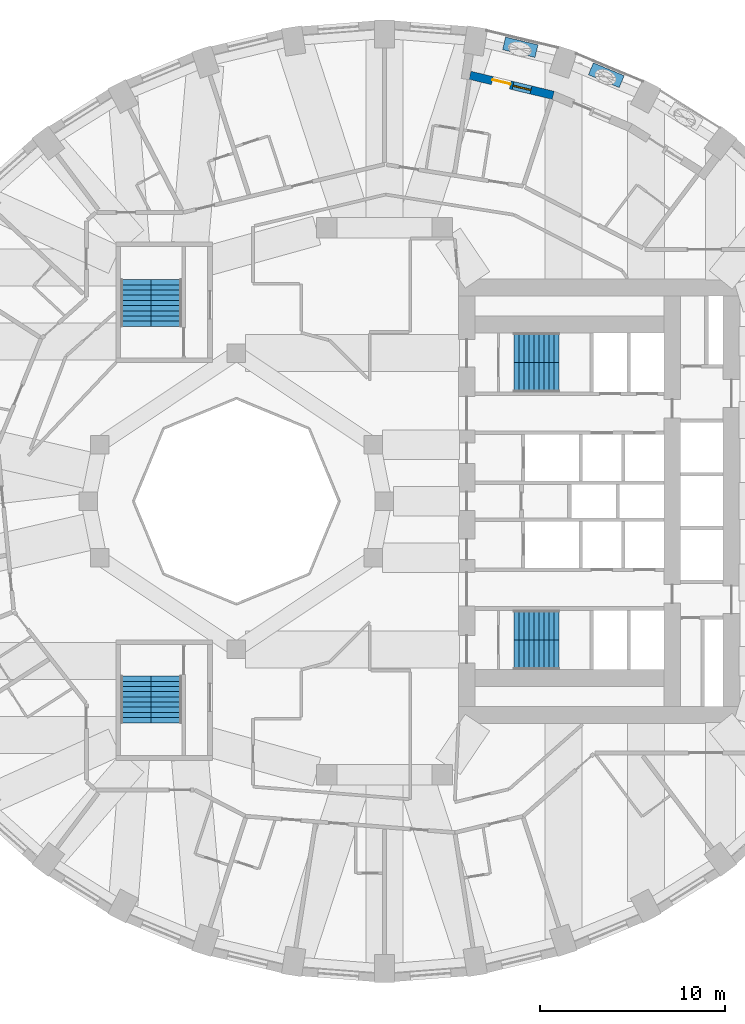
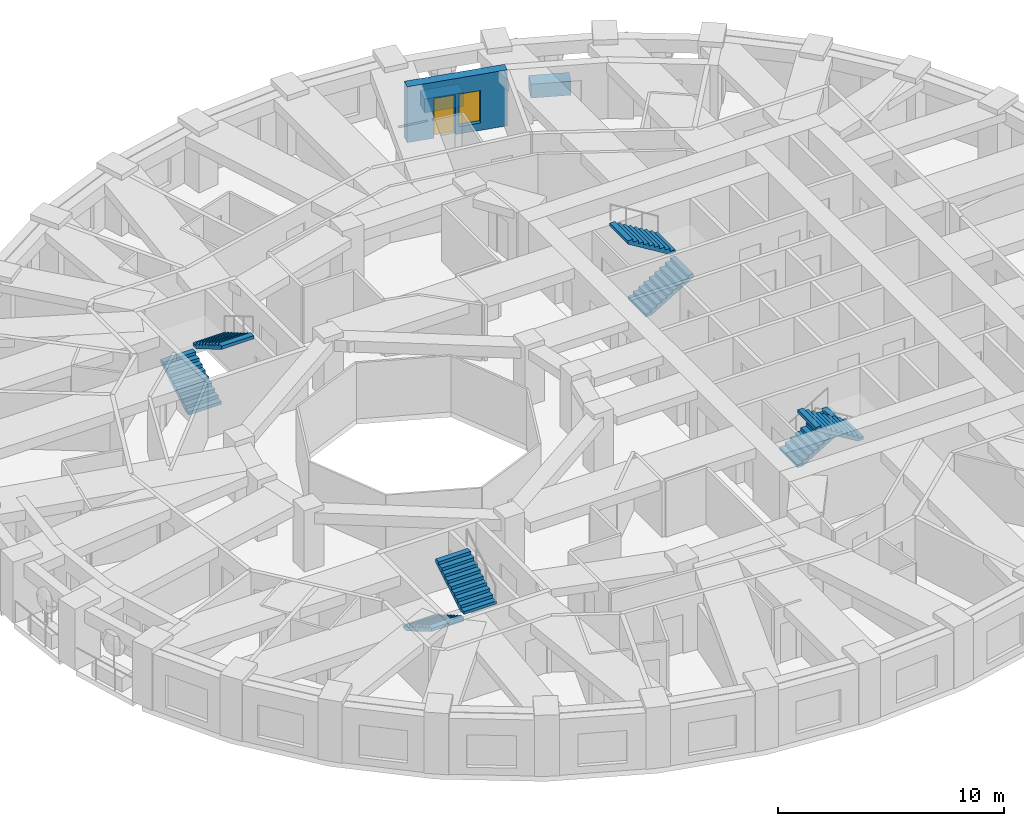
# One storey, part 10 of 13: 8 stair flights, 3 walls, 1 door, 1 window, 2 openings, 4 elements without a shape of their own.
"""IFC4 building model written with IfcOpenShell, lengths in metres."""

from ifc_helpers import new_model, si_unit, direction, frame, frame_2d, origin, place, context, subcontext, project, spatial, polyline, rectangle, outline, extrude, material, layer, layer_set, constituent, constituent_set, type_object, element, fill, aggregate, save


model = new_model("IFC4")

# Units and contexts
model_context = context("Model", 3, precision=1e-05, world=origin(), true_north=direction((0.0, 1.0)))
body_context = subcontext(model_context, "Body", "Model", "MODEL_VIEW")
ifc_project = project(units=[si_unit("LENGTHUNIT", "METRE"), si_unit("AREAUNIT", "SQUARE_METRE"), si_unit("VOLUMEUNIT", "CUBIC_METRE"), si_unit("PLANEANGLEUNIT", "RADIAN"), si_unit("MASSUNIT", "GRAM", prefix="KILO")], contexts=[model_context])

# Site, building, storey
site_placement = place(None, origin())
site = spatial("IfcSite", under=ifc_project, at=site_placement, CompositionType="ELEMENT")
building_placement = place(site_placement, origin())
building = spatial("IfcBuilding", under=site, at=building_placement, Name="Taillehof Tower", CompositionType="ELEMENT")
storey_placement = place(building_placement, frame((0.0, 0.0, 64.60009765625)))
storey = spatial("IfcBuildingStorey", under=building, at=storey_placement, Name="L17", CompositionType="ELEMENT", Elevation=64.60009765625)

# Wall, openings, door, window
ifc_material_1 = material(Name="Brick masonry", Category="masonry")
ifc_layer = layer(ifc_material_1, 0.449951171875)
ifc_layer_set = layer_set([ifc_layer], Name="Brick infill wall 450")
wall_type_1 = type_object("IfcWallType", Name="Brick infill wall 450", PredefinedType="SOLIDWALL", material=ifc_layer_set)
wall_placement = place(storey_placement, frame((9.12158203125, 21.931640625, 0.0), z_axis=(0.0, 0.0, 1.0), x_axis=(-0.972346547441, 0.233542697764, 0.0)))
wall = element("IfcWall", 1, at=wall_placement, inside=storey, type_object=wall_type_1, Name="Brick wall L17 pocket bay 8", PredefinedType="SOLIDWALL", context=body_context, shape_type="SweptSolid", body=[
    extrude(rectangle(XDim=4.623779296875, YDim=0.449951171875, at=frame_2d((2.31201171875, 0.0))), origin(), (0.0, 0.0, 1.0), 3.02001953125),
])
opening_1_placement = place(wall_placement, frame((1.23681640625, 0.0, 0.39990234375)))
opening_1 = element("IfcOpeningElement", 2, at=opening_1_placement, cuts=wall, Name="Opening W5", PredefinedType="OPENING", context=body_context, shape_type="SweptSolid", body=[
    extrude(rectangle(XDim=1.0, YDim=1.75, at=frame_2d((0.5, 0.875))), frame((0.0, 0.23486328125, 0.0), z_axis=(0.0, -1.0, 0.0), x_axis=(1.0, 0.0, 0.0)), (0.0, 0.0, 1.0), 0.469970703125),
])
opening_2_placement = place(wall_placement, frame((2.38671875, 0.0, 0.0)))
opening_2 = element("IfcOpeningElement", 3, at=opening_2_placement, cuts=wall, Name="Opening D1796", PredefinedType="OPENING", context=body_context, shape_type="SweptSolid", body=[
    extrude(rectangle(XDim=1.0, YDim=2.14990234375, at=frame_2d((0.5, 1.074951171875))), frame((0.0, 0.23486328125, 0.0), z_axis=(0.0, -1.0, 0.0), x_axis=(1.0, 0.0, 0.0)), (0.0, 0.0, 1.0), 0.469970703125),
])
ifc_material_2 = material(Name="Aluminium door frame with clear double glazing", Category="aluminium")
door_type = type_object("IfcDoorType", Name="Balcony door 1000x2150", OperationType="SINGLE_SWING_RIGHT", PredefinedType="DOOR", material=ifc_material_2)
door_placement = place(opening_2_placement, frame((1.0, 0.0, 0.0), z_axis=(0.0, 0.0, 1.0), x_axis=(-1.0, 0.0, 0.0)))
door = element("IfcDoor", 4, at=door_placement, inside=storey, type_object=door_type, Name="Balcony door L17 bay 8", OperationType="SINGLE_SWING_LEFT", OverallHeight=2.14990234375, OverallWidth=1.0, PredefinedType="DOOR", context=body_context, shape_type="SweptSolid", body=[
    extrude(rectangle(XDim=1.0, YDim=2.14990234375, at=frame_2d((0.5, 1.074951171875))), frame((0.0, 0.0751953125, 0.0), z_axis=(0.0, -1.0, 0.0), x_axis=(1.0, 0.0, 0.0)), (0.0, 0.0, 1.0), 0.050048828125),
])
fill(opening_2, door)
ifc_material_3 = material(Name="Aluminium window frame with clear double glazing", Category="aluminium")
window_type = type_object("IfcWindowType", Name="Fixed window 1000x1750", PartitioningType="SINGLE_PANEL", PredefinedType="WINDOW", material=ifc_material_3)
window_placement = place(opening_1_placement, origin())
window = element("IfcWindow", 5, at=window_placement, inside=storey, type_object=window_type, Name="W5", OverallHeight=1.75, OverallWidth=1.0, PartitioningType="SINGLE_PANEL", PredefinedType="WINDOW", context=body_context, shape_type="SweptSolid", body=[
    extrude(rectangle(XDim=1.0, YDim=1.75, at=frame_2d((0.5, 0.875))), frame((0.0, 0.034912109375, 0.0), z_axis=(0.0, -1.0, 0.0), x_axis=(1.0, 0.0, 0.0)), (0.0, 0.0, 1.0), 0.06005859375),
])
fill(opening_1, window)

# Walls
ifc_material_4 = material(Name="Concrete C30/37 precast", Category="concrete")
ifc_constituent_1 = constituent(ifc_material_4, Name="Structure", Category="concrete")
ifc_material_5 = material(Name="Insulated lining")
ifc_constituent_2 = constituent(ifc_material_5, Name="Lining")
ifc_constituent_set = constituent_set(constituents=[ifc_constituent_1, ifc_constituent_2], Name="Planter trough 700x750")
wall_type_2 = type_object("IfcWallType", Name="Planter trough 700x750", PredefinedType="USERDEFINED", material=ifc_constituent_set)
for number, where, z_axis, x_axis, name in (
    (6, (12.816650390625, 22.669677734375, 0.0), (0.0, 0.0, 1.0), (-0.923000660042, 0.384798364811, 0.0), "Planter L17 bay 7"),
    (7, (8.215087890625, 24.318115234375, 0.0), (0.0, 0.0, 1.0), (-0.972504142103, 0.232885580473, 0.0), "Planter L17 bay 8"),
):
    element("IfcWall", number, at=place(storey_placement, frame(where, z_axis=z_axis, x_axis=x_axis)), inside=storey, type_object=wall_type_2, Name=name, ObjectType="PLANTER", PredefinedType="USERDEFINED", context=body_context, shape_type="SweptSolid", body=[
        extrude(rectangle(XDim=1.800048828125, YDim=0.699951171875, at=frame_2d((0.89990234375, 0.0))), origin(), (0.0, 0.0, 1.0), 0.75),
    ])

# Stair, stair flights
ifc_material_6 = material(Name="Concrete C40/50", Category="concrete")
stair_type = type_object("IfcStairType", Name="Exit stair half-turn", PredefinedType="HALF_TURN_STAIR", material=ifc_material_6)
stair_1_placement = place(storey_placement, origin())
stair_1 = element("IfcStair", 8, at=stair_1_placement, inside=storey, type_object=stair_type, Name="Exit stair S1", PredefinedType="HALF_TURN_STAIR")
ifc_material_7 = material(Name="Concrete C40/50", Category="concrete")
stair_flight_type_1 = type_object("IfcStairFlightType", Name="Stair flight 1600 riser 165.0 going 270", PredefinedType="STRAIGHT", material=ifc_material_7)
stair_flight_1_placement = place(storey_placement, frame((7.0, 6.699951171875, 0.0), z_axis=(0.0, 0.0, 1.0), x_axis=(1.0, 0.0, 0.0)))
stair_flight_1 = element("IfcStairFlight", 9, at=stair_flight_1_placement, type_object=stair_flight_type_1, Name="S1 flight 1", NumberOfRisers=10, NumberOfTreads=9, PredefinedType="STRAIGHT", RiserHeight=0.165, TreadLength=0.27, context=body_context, shape_type="SweptSolid", body=[
    extrude(outline(polyline([(0.0, 0.0), (0.0, 0.00537109375), (0.0, 0.0107421875), (0.0, 0.015869140625), (0.0, 0.021240234375), (0.0, 0.026611328125), (0.0, 0.031982421875), (0.0, 0.037353515625), (0.0, 0.04248046875), (0.0, 0.0478515625), (0.0, 0.05322265625), (0.0, 0.05859375), (0.0, 0.06396484375), (0.0, 0.069091796875), (0.0, 0.074462890625), (0.0, 0.079833984375), (0.0, 0.085205078125), (0.0, 0.090576171875), (0.0, 0.095703125), (0.0, 0.10107421875), (0.0, 0.1064453125), (0.0, 0.11181640625), (0.0, 0.1171875), (0.0, 0.122314453125), (0.0, 0.127685546875), (0.0, 0.133056640625), (0.0, 0.138427734375), (0.0, 0.143798828125), (0.0, 0.14892578125), (0.0, 0.154296875), (0.0, 0.15966796875), (0.0, 0.1650390625), (0.27001953125, 0.1650390625), (0.27001953125, 0.330078125), (0.5400390625, 0.330078125), (0.5400390625, 0.4951171875), (0.81005859375, 0.4951171875), (0.81005859375, 0.659912109375), (1.080078125, 0.659912109375), (1.080078125, 0.824951171875), (1.35009765625, 0.824951171875), (1.35009765625, 0.989990234375), (1.6201171875, 0.989990234375), (1.6201171875, 1.155029296875), (1.889892578125, 1.155029296875), (1.889892578125, 1.320068359375), (2.159912109375, 1.320068359375), (2.159912109375, 1.485107421875), (2.429931640625, 1.485107421875), (2.429931640625, 1.479248046875), (2.429931640625, 1.4736328125), (2.429931640625, 1.468017578125), (2.429931640625, 1.46240234375), (2.429931640625, 1.45654296875), (2.429931640625, 1.450927734375), (2.429931640625, 1.4453125), (2.429931640625, 1.439697265625), (2.429931640625, 1.43408203125), (2.429931640625, 1.42822265625), (2.429931640625, 1.422607421875), (2.429931640625, 1.4169921875), (2.429931640625, 1.411376953125), (2.429931640625, 1.40576171875), (2.429931640625, 1.39990234375), (2.429931640625, 1.394287109375), (2.429931640625, 1.388671875), (2.429931640625, 1.383056640625), (2.429931640625, 1.37744140625), (2.429931640625, 1.37158203125), (2.429931640625, 1.365966796875), (2.429931640625, 1.3603515625), (2.429931640625, 1.354736328125), (2.429931640625, 1.348876953125), (2.429931640625, 1.34326171875), (2.429931640625, 1.337646484375), (2.429931640625, 1.33203125), (2.429931640625, 1.326416015625), (2.429931640625, 1.320556640625), (2.429931640625, 1.31494140625), (2.429931640625, 1.309326171875), (0.287353515625, 0.0), (0.0, 0.0)])), frame((0.0, 0.800048828125, 0.0), z_axis=(0.0, -1.0, 0.0), x_axis=(1.0, 0.0, 0.0)), (0.0, 0.0, 1.0), 1.6),
])
stair_flight_2_placement = place(storey_placement, frame((9.429931640625, 8.300048828125, 1.64990234375), z_axis=(0.0, 0.0, 1.0), x_axis=(-1.0, 0.0, 0.0)))
stair_flight_2 = element("IfcStairFlight", 10, at=stair_flight_2_placement, type_object=stair_flight_type_1, Name="S1 flight 2", NumberOfRisers=10, NumberOfTreads=9, PredefinedType="STRAIGHT", RiserHeight=0.165, TreadLength=0.27, context=body_context, shape_type="SweptSolid", body=[
    extrude(outline(polyline([(0.0, 0.0), (0.0, 0.00537109375), (0.0, 0.0107421875), (0.0, 0.015869140625), (0.0, 0.021240234375), (0.0, 0.026611328125), (0.0, 0.031982421875), (0.0, 0.037353515625), (0.0, 0.04248046875), (0.0, 0.0478515625), (0.0, 0.05322265625), (0.0, 0.05859375), (0.0, 0.06396484375), (0.0, 0.069091796875), (0.0, 0.074462890625), (0.0, 0.079833984375), (0.0, 0.085205078125), (0.0, 0.090576171875), (0.0, 0.095703125), (0.0, 0.10107421875), (0.0, 0.1064453125), (0.0, 0.11181640625), (0.0, 0.1171875), (0.0, 0.122314453125), (0.0, 0.127685546875), (0.0, 0.133056640625), (0.0, 0.138427734375), (0.0, 0.143798828125), (0.0, 0.14892578125), (0.0, 0.154296875), (0.0, 0.15966796875), (0.0, 0.1650390625), (0.27001953125, 0.1650390625), (0.27001953125, 0.330078125), (0.5400390625, 0.330078125), (0.5400390625, 0.4951171875), (0.81005859375, 0.4951171875), (0.81005859375, 0.659912109375), (1.080078125, 0.659912109375), (1.080078125, 0.824951171875), (1.35009765625, 0.824951171875), (1.35009765625, 0.989990234375), (1.6201171875, 0.989990234375), (1.6201171875, 1.155029296875), (1.889892578125, 1.155029296875), (1.889892578125, 1.320068359375), (2.159912109375, 1.320068359375), (2.159912109375, 1.485107421875), (2.429931640625, 1.485107421875), (2.429931640625, 1.479248046875), (2.429931640625, 1.4736328125), (2.429931640625, 1.468017578125), (2.429931640625, 1.46240234375), (2.429931640625, 1.45654296875), (2.429931640625, 1.450927734375), (2.429931640625, 1.4453125), (2.429931640625, 1.439697265625), (2.429931640625, 1.43408203125), (2.429931640625, 1.42822265625), (2.429931640625, 1.422607421875), (2.429931640625, 1.4169921875), (2.429931640625, 1.411376953125), (2.429931640625, 1.40576171875), (2.429931640625, 1.39990234375), (2.429931640625, 1.394287109375), (2.429931640625, 1.388671875), (2.429931640625, 1.383056640625), (2.429931640625, 1.37744140625), (2.429931640625, 1.37158203125), (2.429931640625, 1.365966796875), (2.429931640625, 1.3603515625), (2.429931640625, 1.354736328125), (2.429931640625, 1.348876953125), (2.429931640625, 1.34326171875), (2.429931640625, 1.337646484375), (2.429931640625, 1.33203125), (2.429931640625, 1.326416015625), (2.429931640625, 1.320556640625), (2.429931640625, 1.31494140625), (2.429931640625, 1.309326171875), (0.287353515625, 0.0), (0.0, 0.0)])), frame((0.0, 0.800048828125, 0.0), z_axis=(0.0, -1.0, 0.0), x_axis=(1.0, 0.0, 0.0)), (0.0, 0.0, 1.0), 1.6),
])
aggregate(stair_1, [stair_flight_1, stair_flight_2])

stair_2_placement = place(storey_placement, origin())
stair_2 = element("IfcStair", 11, at=stair_2_placement, inside=storey, type_object=stair_type, Name="Exit stair S2", PredefinedType="HALF_TURN_STAIR")
stair_flight_3_placement = place(storey_placement, frame((7.0, -6.699951171875, 0.0), z_axis=(0.0, 0.0, 1.0), x_axis=(1.0, 0.0, 0.0)))
stair_flight_3 = element("IfcStairFlight", 12, at=stair_flight_3_placement, type_object=stair_flight_type_1, Name="S2 flight 1", NumberOfRisers=10, NumberOfTreads=9, PredefinedType="STRAIGHT", RiserHeight=0.165, TreadLength=0.27, context=body_context, shape_type="SweptSolid", body=[
    extrude(outline(polyline([(0.0, 0.0), (0.0, 0.00537109375), (0.0, 0.0107421875), (0.0, 0.015869140625), (0.0, 0.021240234375), (0.0, 0.026611328125), (0.0, 0.031982421875), (0.0, 0.037353515625), (0.0, 0.04248046875), (0.0, 0.0478515625), (0.0, 0.05322265625), (0.0, 0.05859375), (0.0, 0.06396484375), (0.0, 0.069091796875), (0.0, 0.074462890625), (0.0, 0.079833984375), (0.0, 0.085205078125), (0.0, 0.090576171875), (0.0, 0.095703125), (0.0, 0.10107421875), (0.0, 0.1064453125), (0.0, 0.11181640625), (0.0, 0.1171875), (0.0, 0.122314453125), (0.0, 0.127685546875), (0.0, 0.133056640625), (0.0, 0.138427734375), (0.0, 0.143798828125), (0.0, 0.14892578125), (0.0, 0.154296875), (0.0, 0.15966796875), (0.0, 0.1650390625), (0.27001953125, 0.1650390625), (0.27001953125, 0.330078125), (0.5400390625, 0.330078125), (0.5400390625, 0.4951171875), (0.81005859375, 0.4951171875), (0.81005859375, 0.659912109375), (1.080078125, 0.659912109375), (1.080078125, 0.824951171875), (1.35009765625, 0.824951171875), (1.35009765625, 0.989990234375), (1.6201171875, 0.989990234375), (1.6201171875, 1.155029296875), (1.889892578125, 1.155029296875), (1.889892578125, 1.320068359375), (2.159912109375, 1.320068359375), (2.159912109375, 1.485107421875), (2.429931640625, 1.485107421875), (2.429931640625, 1.479248046875), (2.429931640625, 1.4736328125), (2.429931640625, 1.468017578125), (2.429931640625, 1.46240234375), (2.429931640625, 1.45654296875), (2.429931640625, 1.450927734375), (2.429931640625, 1.4453125), (2.429931640625, 1.439697265625), (2.429931640625, 1.43408203125), (2.429931640625, 1.42822265625), (2.429931640625, 1.422607421875), (2.429931640625, 1.4169921875), (2.429931640625, 1.411376953125), (2.429931640625, 1.40576171875), (2.429931640625, 1.39990234375), (2.429931640625, 1.394287109375), (2.429931640625, 1.388671875), (2.429931640625, 1.383056640625), (2.429931640625, 1.37744140625), (2.429931640625, 1.37158203125), (2.429931640625, 1.365966796875), (2.429931640625, 1.3603515625), (2.429931640625, 1.354736328125), (2.429931640625, 1.348876953125), (2.429931640625, 1.34326171875), (2.429931640625, 1.337646484375), (2.429931640625, 1.33203125), (2.429931640625, 1.326416015625), (2.429931640625, 1.320556640625), (2.429931640625, 1.31494140625), (2.429931640625, 1.309326171875), (0.287353515625, 0.0), (0.0, 0.0)])), frame((0.0, 0.800048828125, 0.0), z_axis=(0.0, -1.0, 0.0), x_axis=(1.0, 0.0, 0.0)), (0.0, 0.0, 1.0), 1.6),
])
stair_flight_4_placement = place(storey_placement, frame((9.429931640625, -8.300048828125, 1.64990234375), z_axis=(0.0, 0.0, 1.0), x_axis=(-1.0, 0.0, 0.0)))
stair_flight_4 = element("IfcStairFlight", 13, at=stair_flight_4_placement, type_object=stair_flight_type_1, Name="S2 flight 2", NumberOfRisers=10, NumberOfTreads=9, PredefinedType="STRAIGHT", RiserHeight=0.165, TreadLength=0.27, context=body_context, shape_type="SweptSolid", body=[
    extrude(outline(polyline([(0.0, 0.0), (0.0, 0.00537109375), (0.0, 0.0107421875), (0.0, 0.015869140625), (0.0, 0.021240234375), (0.0, 0.026611328125), (0.0, 0.031982421875), (0.0, 0.037353515625), (0.0, 0.04248046875), (0.0, 0.0478515625), (0.0, 0.05322265625), (0.0, 0.05859375), (0.0, 0.06396484375), (0.0, 0.069091796875), (0.0, 0.074462890625), (0.0, 0.079833984375), (0.0, 0.085205078125), (0.0, 0.090576171875), (0.0, 0.095703125), (0.0, 0.10107421875), (0.0, 0.1064453125), (0.0, 0.11181640625), (0.0, 0.1171875), (0.0, 0.122314453125), (0.0, 0.127685546875), (0.0, 0.133056640625), (0.0, 0.138427734375), (0.0, 0.143798828125), (0.0, 0.14892578125), (0.0, 0.154296875), (0.0, 0.15966796875), (0.0, 0.1650390625), (0.27001953125, 0.1650390625), (0.27001953125, 0.330078125), (0.5400390625, 0.330078125), (0.5400390625, 0.4951171875), (0.81005859375, 0.4951171875), (0.81005859375, 0.659912109375), (1.080078125, 0.659912109375), (1.080078125, 0.824951171875), (1.35009765625, 0.824951171875), (1.35009765625, 0.989990234375), (1.6201171875, 0.989990234375), (1.6201171875, 1.155029296875), (1.889892578125, 1.155029296875), (1.889892578125, 1.320068359375), (2.159912109375, 1.320068359375), (2.159912109375, 1.485107421875), (2.429931640625, 1.485107421875), (2.429931640625, 1.479248046875), (2.429931640625, 1.4736328125), (2.429931640625, 1.468017578125), (2.429931640625, 1.46240234375), (2.429931640625, 1.45654296875), (2.429931640625, 1.450927734375), (2.429931640625, 1.4453125), (2.429931640625, 1.439697265625), (2.429931640625, 1.43408203125), (2.429931640625, 1.42822265625), (2.429931640625, 1.422607421875), (2.429931640625, 1.4169921875), (2.429931640625, 1.411376953125), (2.429931640625, 1.40576171875), (2.429931640625, 1.39990234375), (2.429931640625, 1.394287109375), (2.429931640625, 1.388671875), (2.429931640625, 1.383056640625), (2.429931640625, 1.37744140625), (2.429931640625, 1.37158203125), (2.429931640625, 1.365966796875), (2.429931640625, 1.3603515625), (2.429931640625, 1.354736328125), (2.429931640625, 1.348876953125), (2.429931640625, 1.34326171875), (2.429931640625, 1.337646484375), (2.429931640625, 1.33203125), (2.429931640625, 1.326416015625), (2.429931640625, 1.320556640625), (2.429931640625, 1.31494140625), (2.429931640625, 1.309326171875), (0.287353515625, 0.0), (0.0, 0.0)])), frame((0.0, 0.800048828125, 0.0), z_axis=(0.0, -1.0, 0.0), x_axis=(1.0, 0.0, 0.0)), (0.0, 0.0, 1.0), 1.6),
])
aggregate(stair_2, [stair_flight_3, stair_flight_4])

stair_3_placement = place(storey_placement, origin())
stair_3 = element("IfcStair", 14, at=stair_3_placement, inside=storey, type_object=stair_type, Name="Exit stair S3", PredefinedType="HALF_TURN_STAIR")
ifc_material_8 = material(Name="Concrete C40/50", Category="concrete")
stair_flight_type_2 = type_object("IfcStairFlightType", Name="Stair flight 1650 riser 165.0 going 280", PredefinedType="STRAIGHT", material=ifc_material_8)
stair_flight_5_placement = place(storey_placement, frame((-13.425048828125, 9.449951171875, 0.0), z_axis=(0.0, 0.0, 1.0), x_axis=(0.0, 1.0, 0.0)))
stair_flight_5 = element("IfcStairFlight", 15, at=stair_flight_5_placement, type_object=stair_flight_type_2, Name="S3 flight 1", NumberOfRisers=10, NumberOfTreads=9, PredefinedType="STRAIGHT", RiserHeight=0.165, TreadLength=0.28, context=body_context, shape_type="SweptSolid", body=[
    extrude(outline(polyline([(0.0, 0.0), (0.0, 0.00537109375), (0.0, 0.0107421875), (0.0, 0.015869140625), (0.0, 0.021240234375), (0.0, 0.026611328125), (0.0, 0.031982421875), (0.0, 0.037353515625), (0.0, 0.04248046875), (0.0, 0.0478515625), (0.0, 0.05322265625), (0.0, 0.05859375), (0.0, 0.06396484375), (0.0, 0.069091796875), (0.0, 0.074462890625), (0.0, 0.079833984375), (0.0, 0.085205078125), (0.0, 0.090576171875), (0.0, 0.095703125), (0.0, 0.10107421875), (0.0, 0.1064453125), (0.0, 0.11181640625), (0.0, 0.1171875), (0.0, 0.122314453125), (0.0, 0.127685546875), (0.0, 0.133056640625), (0.0, 0.138427734375), (0.0, 0.143798828125), (0.0, 0.14892578125), (0.0, 0.154296875), (0.0, 0.15966796875), (0.0, 0.1650390625), (0.280029296875, 0.1650390625), (0.280029296875, 0.330078125), (0.56005859375, 0.330078125), (0.56005859375, 0.4951171875), (0.840087890625, 0.4951171875), (0.840087890625, 0.659912109375), (1.1201171875, 0.659912109375), (1.1201171875, 0.824951171875), (1.39990234375, 0.824951171875), (1.39990234375, 0.989990234375), (1.679931640625, 0.989990234375), (1.679931640625, 1.155029296875), (1.9599609375, 1.155029296875), (1.9599609375, 1.320068359375), (2.239990234375, 1.320068359375), (2.239990234375, 1.485107421875), (2.52001953125, 1.485107421875), (2.52001953125, 1.4794921875), (2.52001953125, 1.473876953125), (2.52001953125, 1.46826171875), (2.52001953125, 1.462646484375), (2.52001953125, 1.45703125), (2.52001953125, 1.451416015625), (2.52001953125, 1.44580078125), (2.52001953125, 1.440185546875), (2.52001953125, 1.4345703125), (2.52001953125, 1.428955078125), (2.52001953125, 1.42333984375), (2.52001953125, 1.417724609375), (2.52001953125, 1.412109375), (2.52001953125, 1.406494140625), (2.52001953125, 1.40087890625), (2.52001953125, 1.395263671875), (2.52001953125, 1.3896484375), (2.52001953125, 1.384033203125), (2.52001953125, 1.37841796875), (2.52001953125, 1.372802734375), (2.52001953125, 1.3671875), (2.52001953125, 1.361572265625), (2.52001953125, 1.35595703125), (2.52001953125, 1.350341796875), (2.52001953125, 1.3447265625), (2.52001953125, 1.339111328125), (2.52001953125, 1.33349609375), (2.52001953125, 1.327880859375), (2.52001953125, 1.322265625), (2.52001953125, 1.316650390625), (2.52001953125, 1.31103515625), (0.295166015625, 0.0), (0.0, 0.0)])), frame((0.0, 0.824951171875, 0.0), z_axis=(0.0, -1.0, 0.0), x_axis=(1.0, 0.0, 0.0)), (0.0, 0.0, 1.0), 1.65),
])
stair_flight_6_placement = place(storey_placement, frame((-11.77490234375, 11.969970703125, 1.64990234375), z_axis=(0.0, 0.0, 1.0), x_axis=(0.0, -1.0, 0.0)))
stair_flight_6 = element("IfcStairFlight", 16, at=stair_flight_6_placement, type_object=stair_flight_type_2, Name="S3 flight 2", NumberOfRisers=10, NumberOfTreads=9, PredefinedType="STRAIGHT", RiserHeight=0.165, TreadLength=0.28, context=body_context, shape_type="SweptSolid", body=[
    extrude(outline(polyline([(0.0, 0.0), (0.0, 0.00537109375), (0.0, 0.0107421875), (0.0, 0.015869140625), (0.0, 0.021240234375), (0.0, 0.026611328125), (0.0, 0.031982421875), (0.0, 0.037353515625), (0.0, 0.04248046875), (0.0, 0.0478515625), (0.0, 0.05322265625), (0.0, 0.05859375), (0.0, 0.06396484375), (0.0, 0.069091796875), (0.0, 0.074462890625), (0.0, 0.079833984375), (0.0, 0.085205078125), (0.0, 0.090576171875), (0.0, 0.095703125), (0.0, 0.10107421875), (0.0, 0.1064453125), (0.0, 0.11181640625), (0.0, 0.1171875), (0.0, 0.122314453125), (0.0, 0.127685546875), (0.0, 0.133056640625), (0.0, 0.138427734375), (0.0, 0.143798828125), (0.0, 0.14892578125), (0.0, 0.154296875), (0.0, 0.15966796875), (0.0, 0.1650390625), (0.280029296875, 0.1650390625), (0.280029296875, 0.330078125), (0.56005859375, 0.330078125), (0.56005859375, 0.4951171875), (0.840087890625, 0.4951171875), (0.840087890625, 0.659912109375), (1.1201171875, 0.659912109375), (1.1201171875, 0.824951171875), (1.39990234375, 0.824951171875), (1.39990234375, 0.989990234375), (1.679931640625, 0.989990234375), (1.679931640625, 1.155029296875), (1.9599609375, 1.155029296875), (1.9599609375, 1.320068359375), (2.239990234375, 1.320068359375), (2.239990234375, 1.485107421875), (2.52001953125, 1.485107421875), (2.52001953125, 1.4794921875), (2.52001953125, 1.473876953125), (2.52001953125, 1.46826171875), (2.52001953125, 1.462646484375), (2.52001953125, 1.45703125), (2.52001953125, 1.451416015625), (2.52001953125, 1.44580078125), (2.52001953125, 1.440185546875), (2.52001953125, 1.4345703125), (2.52001953125, 1.428955078125), (2.52001953125, 1.42333984375), (2.52001953125, 1.417724609375), (2.52001953125, 1.412109375), (2.52001953125, 1.406494140625), (2.52001953125, 1.40087890625), (2.52001953125, 1.395263671875), (2.52001953125, 1.3896484375), (2.52001953125, 1.384033203125), (2.52001953125, 1.37841796875), (2.52001953125, 1.372802734375), (2.52001953125, 1.3671875), (2.52001953125, 1.361572265625), (2.52001953125, 1.35595703125), (2.52001953125, 1.350341796875), (2.52001953125, 1.3447265625), (2.52001953125, 1.339111328125), (2.52001953125, 1.33349609375), (2.52001953125, 1.327880859375), (2.52001953125, 1.322265625), (2.52001953125, 1.316650390625), (2.52001953125, 1.31103515625), (0.295166015625, 0.0), (0.0, 0.0)])), frame((0.0, 0.824951171875, 0.0), z_axis=(0.0, -1.0, 0.0), x_axis=(1.0, 0.0, 0.0)), (0.0, 0.0, 1.0), 1.65),
])
aggregate(stair_3, [stair_flight_5, stair_flight_6])

stair_4_placement = place(storey_placement, origin())
stair_4 = element("IfcStair", 17, at=stair_4_placement, inside=storey, type_object=stair_type, Name="Exit stair S4", PredefinedType="HALF_TURN_STAIR")
stair_flight_7_placement = place(storey_placement, frame((-13.425048828125, -9.449951171875, 0.0), z_axis=(0.0, 0.0, 1.0), x_axis=(0.0, -1.0, 0.0)))
stair_flight_7 = element("IfcStairFlight", 18, at=stair_flight_7_placement, type_object=stair_flight_type_2, Name="S4 flight 1", NumberOfRisers=10, NumberOfTreads=9, PredefinedType="STRAIGHT", RiserHeight=0.165, TreadLength=0.28, context=body_context, shape_type="SweptSolid", body=[
    extrude(outline(polyline([(0.0, 0.0), (0.0, 0.00537109375), (0.0, 0.0107421875), (0.0, 0.015869140625), (0.0, 0.021240234375), (0.0, 0.026611328125), (0.0, 0.031982421875), (0.0, 0.037353515625), (0.0, 0.04248046875), (0.0, 0.0478515625), (0.0, 0.05322265625), (0.0, 0.05859375), (0.0, 0.06396484375), (0.0, 0.069091796875), (0.0, 0.074462890625), (0.0, 0.079833984375), (0.0, 0.085205078125), (0.0, 0.090576171875), (0.0, 0.095703125), (0.0, 0.10107421875), (0.0, 0.1064453125), (0.0, 0.11181640625), (0.0, 0.1171875), (0.0, 0.122314453125), (0.0, 0.127685546875), (0.0, 0.133056640625), (0.0, 0.138427734375), (0.0, 0.143798828125), (0.0, 0.14892578125), (0.0, 0.154296875), (0.0, 0.15966796875), (0.0, 0.1650390625), (0.280029296875, 0.1650390625), (0.280029296875, 0.330078125), (0.56005859375, 0.330078125), (0.56005859375, 0.4951171875), (0.840087890625, 0.4951171875), (0.840087890625, 0.659912109375), (1.1201171875, 0.659912109375), (1.1201171875, 0.824951171875), (1.39990234375, 0.824951171875), (1.39990234375, 0.989990234375), (1.679931640625, 0.989990234375), (1.679931640625, 1.155029296875), (1.9599609375, 1.155029296875), (1.9599609375, 1.320068359375), (2.239990234375, 1.320068359375), (2.239990234375, 1.485107421875), (2.52001953125, 1.485107421875), (2.52001953125, 1.4794921875), (2.52001953125, 1.473876953125), (2.52001953125, 1.46826171875), (2.52001953125, 1.462646484375), (2.52001953125, 1.45703125), (2.52001953125, 1.451416015625), (2.52001953125, 1.44580078125), (2.52001953125, 1.440185546875), (2.52001953125, 1.4345703125), (2.52001953125, 1.428955078125), (2.52001953125, 1.42333984375), (2.52001953125, 1.417724609375), (2.52001953125, 1.412109375), (2.52001953125, 1.406494140625), (2.52001953125, 1.40087890625), (2.52001953125, 1.395263671875), (2.52001953125, 1.3896484375), (2.52001953125, 1.384033203125), (2.52001953125, 1.37841796875), (2.52001953125, 1.372802734375), (2.52001953125, 1.3671875), (2.52001953125, 1.361572265625), (2.52001953125, 1.35595703125), (2.52001953125, 1.350341796875), (2.52001953125, 1.3447265625), (2.52001953125, 1.339111328125), (2.52001953125, 1.33349609375), (2.52001953125, 1.327880859375), (2.52001953125, 1.322265625), (2.52001953125, 1.316650390625), (2.52001953125, 1.31103515625), (0.295166015625, 0.0), (0.0, 0.0)])), frame((0.0, 0.824951171875, 0.0), z_axis=(0.0, -1.0, 0.0), x_axis=(1.0, 0.0, 0.0)), (0.0, 0.0, 1.0), 1.65),
])
stair_flight_8_placement = place(storey_placement, frame((-11.77490234375, -11.969970703125, 1.64990234375), z_axis=(0.0, 0.0, 1.0), x_axis=(0.0, 1.0, 0.0)))
stair_flight_8 = element("IfcStairFlight", 19, at=stair_flight_8_placement, type_object=stair_flight_type_2, Name="S4 flight 2", NumberOfRisers=10, NumberOfTreads=9, PredefinedType="STRAIGHT", RiserHeight=0.165, TreadLength=0.28, context=body_context, shape_type="SweptSolid", body=[
    extrude(outline(polyline([(0.0, 0.0), (0.0, 0.00537109375), (0.0, 0.0107421875), (0.0, 0.015869140625), (0.0, 0.021240234375), (0.0, 0.026611328125), (0.0, 0.031982421875), (0.0, 0.037353515625), (0.0, 0.04248046875), (0.0, 0.0478515625), (0.0, 0.05322265625), (0.0, 0.05859375), (0.0, 0.06396484375), (0.0, 0.069091796875), (0.0, 0.074462890625), (0.0, 0.079833984375), (0.0, 0.085205078125), (0.0, 0.090576171875), (0.0, 0.095703125), (0.0, 0.10107421875), (0.0, 0.1064453125), (0.0, 0.11181640625), (0.0, 0.1171875), (0.0, 0.122314453125), (0.0, 0.127685546875), (0.0, 0.133056640625), (0.0, 0.138427734375), (0.0, 0.143798828125), (0.0, 0.14892578125), (0.0, 0.154296875), (0.0, 0.15966796875), (0.0, 0.1650390625), (0.280029296875, 0.1650390625), (0.280029296875, 0.330078125), (0.56005859375, 0.330078125), (0.56005859375, 0.4951171875), (0.840087890625, 0.4951171875), (0.840087890625, 0.659912109375), (1.1201171875, 0.659912109375), (1.1201171875, 0.824951171875), (1.39990234375, 0.824951171875), (1.39990234375, 0.989990234375), (1.679931640625, 0.989990234375), (1.679931640625, 1.155029296875), (1.9599609375, 1.155029296875), (1.9599609375, 1.320068359375), (2.239990234375, 1.320068359375), (2.239990234375, 1.485107421875), (2.52001953125, 1.485107421875), (2.52001953125, 1.4794921875), (2.52001953125, 1.473876953125), (2.52001953125, 1.46826171875), (2.52001953125, 1.462646484375), (2.52001953125, 1.45703125), (2.52001953125, 1.451416015625), (2.52001953125, 1.44580078125), (2.52001953125, 1.440185546875), (2.52001953125, 1.4345703125), (2.52001953125, 1.428955078125), (2.52001953125, 1.42333984375), (2.52001953125, 1.417724609375), (2.52001953125, 1.412109375), (2.52001953125, 1.406494140625), (2.52001953125, 1.40087890625), (2.52001953125, 1.395263671875), (2.52001953125, 1.3896484375), (2.52001953125, 1.384033203125), (2.52001953125, 1.37841796875), (2.52001953125, 1.372802734375), (2.52001953125, 1.3671875), (2.52001953125, 1.361572265625), (2.52001953125, 1.35595703125), (2.52001953125, 1.350341796875), (2.52001953125, 1.3447265625), (2.52001953125, 1.339111328125), (2.52001953125, 1.33349609375), (2.52001953125, 1.327880859375), (2.52001953125, 1.322265625), (2.52001953125, 1.316650390625), (2.52001953125, 1.31103515625), (0.295166015625, 0.0), (0.0, 0.0)])), frame((0.0, 0.824951171875, 0.0), z_axis=(0.0, -1.0, 0.0), x_axis=(1.0, 0.0, 0.0)), (0.0, 0.0, 1.0), 1.65),
])
aggregate(stair_4, [stair_flight_7, stair_flight_8])

save(model, "model.ifc")
